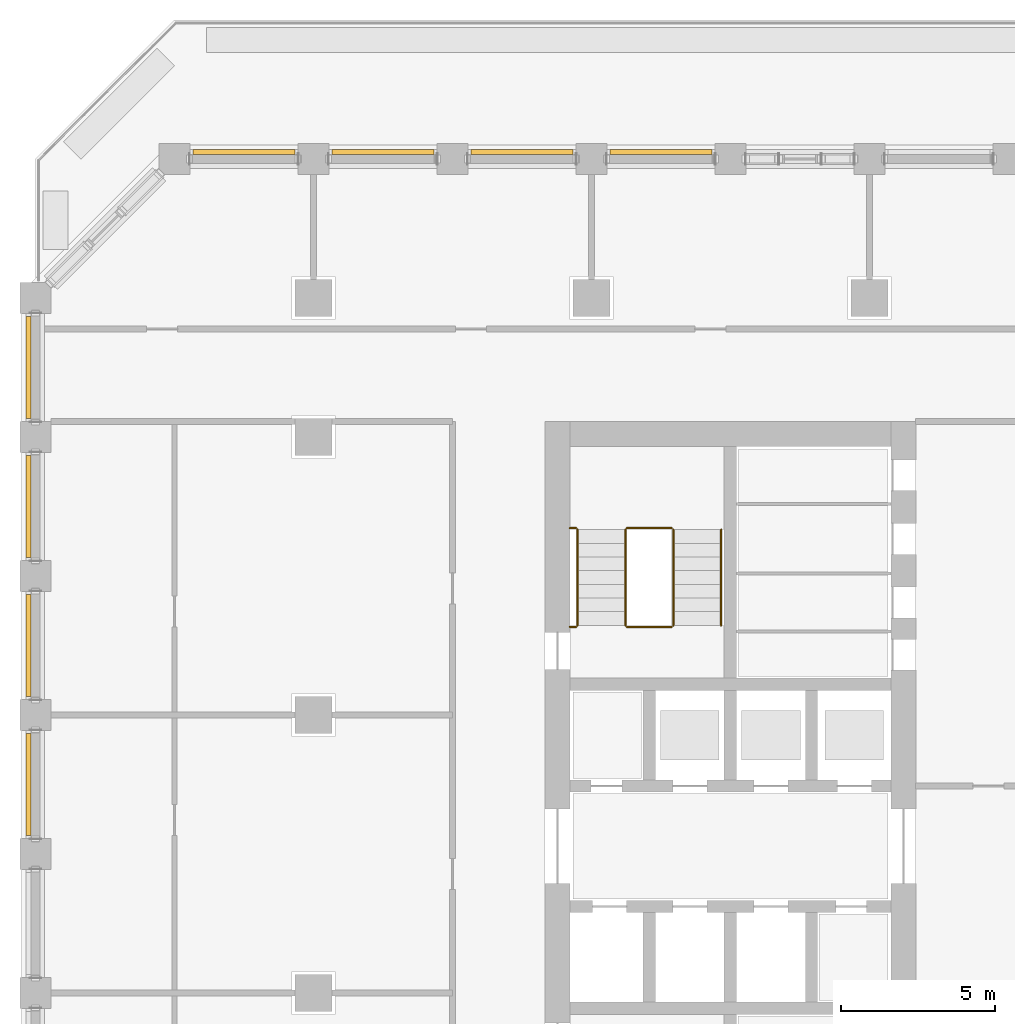
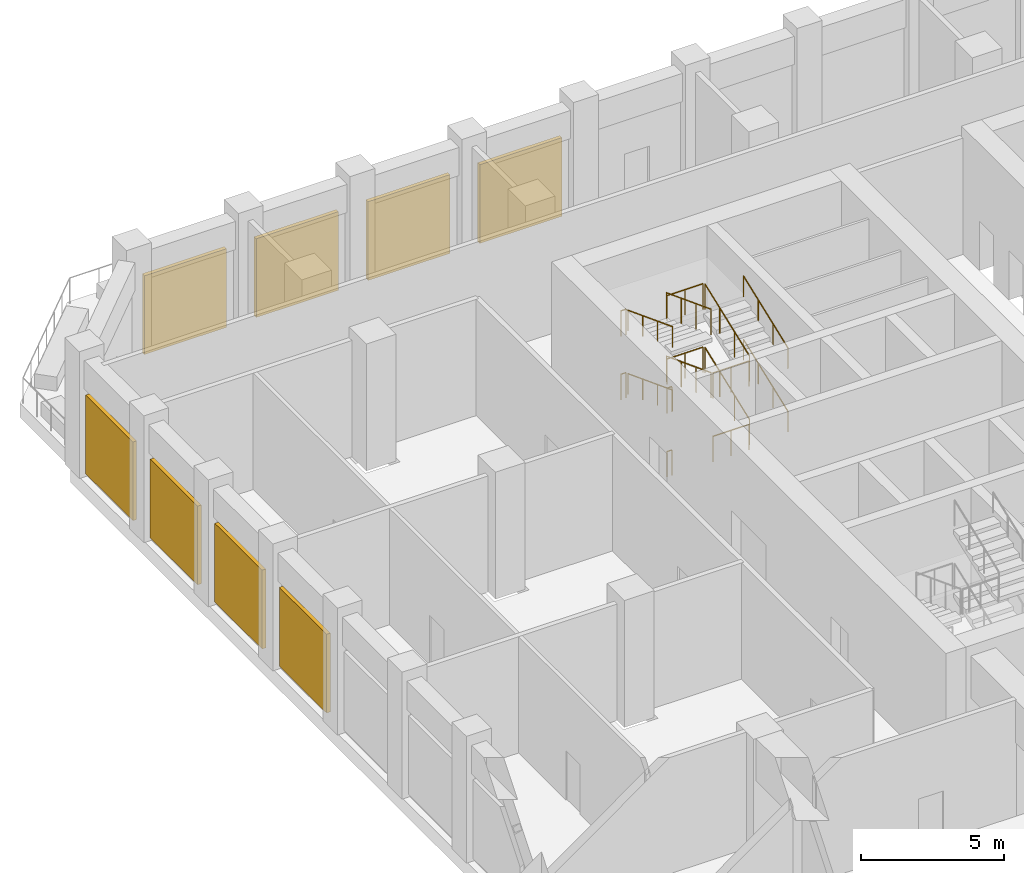
# One storey, part 16 of 20: 16 railings, 8 shading devices.
"""IFC4 building model written with IfcOpenShell, lengths in metres."""

import ifcopenshell
import ifcopenshell.guid

model = None  # the IFC model being written
_history = None  # IfcOwnerHistory: only IFC2X3 demands one
_inside = {}  # id of a spatial element -> (the spatial element, [elements in it])
_under = {}  # id of a project, library or spatial element -> (it, [spatial elements below it])
_declared = {}  # id of a project -> (the project, [libraries it declares])
_typed = {}  # id of a type object -> (the type object, [elements of that type])
_made_of = {}  # id of a material, layer set ... -> (it, [elements and type objects made of it])


def new_model(schema):
    """Start an empty IFC model of exactly this schema.

    Asked for "IFC4X3", IfcOpenShell would pick the latest addendum, in which some entities
    have other attributes; the version numbers below select the first issue.
    IFC2X3 requires an IfcOwnerHistory on every rooted entity: one is made here for all.
    """
    global model, _history
    if schema == "IFC4X3":
        model = ifcopenshell.file(schema_version=(4, 3, 0, 0))
    else:
        model = ifcopenshell.file(schema=schema)
    _inside.clear()
    _under.clear()
    _declared.clear()
    _typed.clear()
    _made_of.clear()
    _history = None
    if model.schema == "IFC2X3":
        org = make("IfcOrganization", Name="unknown")
        user = make(
            "IfcPersonAndOrganization",
            ThePerson=make("IfcPerson", FamilyName="unknown"),
            TheOrganization=org,
        )
        app = make(
            "IfcApplication",
            ApplicationDeveloper=org,
            Version="unknown",
            ApplicationFullName="unknown",
            ApplicationIdentifier="unknown",
        )
        _history = make(
            "IfcOwnerHistory",
            OwningUser=user,
            OwningApplication=app,
            ChangeAction="ADDED",
            CreationDate=0,
        )
    return model


def make(cls, **values):
    """One entity of the class cls with the attributes given. An attribute that is None is left unset."""
    return model.create_entity(
        cls, **{name: value for name, value in values.items() if value is not None}
    )


def rooted(cls, **values):
    """An entity with a GlobalId (a new one), such as an element, a storey or a relation."""
    return make(cls, GlobalId=ifcopenshell.guid.new(), OwnerHistory=_history, **values)


def si_unit(unit_type, name, prefix=None):
    """IfcSIUnit, for example si_unit("LENGTHUNIT", "METRE", prefix="MILLI")."""
    return make("IfcSIUnit", UnitType=unit_type, Prefix=prefix, Name=name)


def assignment(units):
    """IfcUnitAssignment: the units of a project."""
    return None if units is None else make("IfcUnitAssignment", Units=units)


def point(xyz):
    """IfcCartesianPoint."""
    return None if xyz is None else make("IfcCartesianPoint", Coordinates=xyz)


def direction(xyz):
    """IfcDirection."""
    return None if xyz is None else make("IfcDirection", DirectionRatios=xyz)


def frame(location, z_axis=None, x_axis=None):
    """IfcAxis2Placement3D, a coordinate frame: its origin and axes. An axis left out is left unset."""
    return make(
        "IfcAxis2Placement3D",
        Location=point(location),
        Axis=direction(z_axis),
        RefDirection=direction(x_axis),
    )


def frame_2d(location, x_axis=None):
    """IfcAxis2Placement2D, a coordinate frame in the plane: its origin and x axis."""
    return make(
        "IfcAxis2Placement2D", Location=point(location), RefDirection=direction(x_axis)
    )


def origin():
    """The frame at (0, 0, 0) with its axes left unset."""
    return frame((0.0, 0.0, 0.0))


def origin_2d():
    """The frame at (0, 0) in the plane with its x axis left unset."""
    return frame_2d((0.0, 0.0))


def place(relative_to, where):
    """IfcLocalPlacement: puts the frame where relative to a parent placement (None: the world)."""
    return make(
        "IfcLocalPlacement", PlacementRelTo=relative_to, RelativePlacement=where
    )


def context(
    kind, dimensions, precision=None, world=None, true_north=None, identifier=None
):
    """IfcGeometricRepresentationContext, for example the 3D "Model" context."""
    return make(
        "IfcGeometricRepresentationContext",
        ContextIdentifier=identifier,
        ContextType=kind,
        CoordinateSpaceDimension=dimensions,
        Precision=precision,
        WorldCoordinateSystem=world,
        TrueNorth=true_north,
    )


def subcontext(parent, identifier, kind, view, scale=None):
    """IfcGeometricRepresentationSubContext, for example "Body" below "Model"."""
    return make(
        "IfcGeometricRepresentationSubContext",
        ContextIdentifier=identifier,
        ContextType=kind,
        ParentContext=parent,
        TargetScale=scale,
        TargetView=view,
    )


def project(units=None, contexts=None):
    """IfcProject with its units and contexts."""
    return rooted(
        "IfcProject",
        Name="project",
        RepresentationContexts=contexts,
        UnitsInContext=assignment(units),
    )


def spatial(cls, under=None, at=None, **own):
    """A site, building, storey or space (cls), placed at a placement, below another one or the project."""
    s = rooted(cls, ObjectPlacement=at, **own)
    if under is not None:
        _under.setdefault(under.id(), (under, []))[1].append(s)
    return s


def profile(cls, at=None, kind="AREA", **sizes):
    """A parametric profile (cls). Its sizes go by their IFC names, for example OverallWidth=200.0."""
    return make(cls, ProfileType=kind, Position=at, **sizes)


def rectangle(**sizes):
    """IfcRectangleProfileDef."""
    return profile("IfcRectangleProfileDef", **sizes)


def circle(**sizes):
    """IfcCircleProfileDef."""
    return profile("IfcCircleProfileDef", **sizes)


def extrude(swept, where, along, depth):
    """IfcExtrudedAreaSolid: the profile swept, set in the frame where, extruded along a direction by depth."""
    return make(
        "IfcExtrudedAreaSolid",
        SweptArea=swept,
        Position=where,
        ExtrudedDirection=direction(along),
        Depth=depth,
    )


def shape(context_of_items, identifier, shape_type, items):
    """IfcShapeRepresentation: the items that make up one representation, for example the "Body"."""
    return make(
        "IfcShapeRepresentation",
        ContextOfItems=context_of_items,
        RepresentationIdentifier=identifier,
        RepresentationType=shape_type,
        Items=items,
    )


def material(Name=None, Category=None):
    """IfcMaterial."""
    return make("IfcMaterial", Name=Name, Category=Category)


def layer(
    of_material, thickness, ventilated=None, Name=None, Category=None, Priority=None
):
    """IfcMaterialLayer: one layer of a wall or slab, of a material (None: an air gap)."""
    return make(
        "IfcMaterialLayer",
        Material=of_material,
        LayerThickness=thickness,
        IsVentilated=ventilated,
        Name=Name,
        Category=Category,
        Priority=Priority,
    )


def layer_set(layers, Name=None):
    """IfcMaterialLayerSet."""
    return make("IfcMaterialLayerSet", MaterialLayers=layers, LayerSetName=Name)


def made_of(thing, what):
    """Note that an element or type object is made of a material, layer set ...; save() writes the relation."""
    if what is not None:
        _made_of.setdefault(what.id(), (what, []))[1].append(thing)
    return thing


def type_object(cls, material=None, **own):
    """A type object (cls), such as IfcWallType, which elements share."""
    return made_of(rooted(cls, **own), material)


def element(
    cls,
    number,
    at=None,
    inside=None,
    cuts=None,
    type_object=None,
    material=None,
    context=None,
    identifier="Body",
    shape_type=None,
    held_by="IfcProductDefinitionShape",
    body=None,
    shapes=None,
    **own,
):
    """One element of the class cls, such as IfcWall. Its Tag is "e" and its number.

    at: its placement. inside: the storey or other place that contains it. cuts: it is an
    opening in that element (IfcRelVoidsElement). A single representation is given by context,
    identifier, shape_type and body (its items); several are given by shapes. held_by: the class
    of the entity that holds the representations. save() writes the other relations.
    """
    e = rooted(cls, Tag="e%d" % number, ObjectPlacement=at, **own)
    if body is not None:
        shapes = [shape(context, identifier, shape_type, body)]
    if shapes is not None:
        e.Representation = make(held_by, Representations=shapes)
    if inside is not None:
        _inside.setdefault(inside.id(), (inside, []))[1].append(e)
    if cuts is not None:
        rooted(
            "IfcRelVoidsElement", RelatingBuildingElement=cuts, RelatedOpeningElement=e
        )
    if type_object is not None:
        _typed.setdefault(type_object.id(), (type_object, []))[1].append(e)
    return made_of(e, material)


def aggregate(whole, parts):
    """IfcRelAggregates: a whole, such as a stair, and the parts it consists of."""
    return rooted("IfcRelAggregates", RelatingObject=whole, RelatedObjects=parts)


def save(model, path):
    """Write the relations noted so far, then the file.

    IfcRelAggregates (storeys below a building ...), IfcRelContainedInSpatialStructure (elements
    in a storey), IfcRelDefinesByType, IfcRelAssociatesMaterial and IfcRelDeclares: one each for
    every whole, place, type object, material and project.
    """
    for whole, parts in _under.values():
        aggregate(whole, parts)
    for where, things in _inside.values():
        rooted(
            "IfcRelContainedInSpatialStructure",
            RelatedElements=things,
            RelatingStructure=where,
        )
    for kind, things in _typed.values():
        rooted("IfcRelDefinesByType", RelatedObjects=things, RelatingType=kind)
    for what, things in _made_of.values():
        rooted("IfcRelAssociatesMaterial", RelatedObjects=things, RelatingMaterial=what)
    for by, libraries in _declared.values():
        rooted("IfcRelDeclares", RelatingContext=by, RelatedDefinitions=libraries)
    model.write(path)


model = new_model("IFC4")

# Units and contexts
model_context = context("Model", 3, precision=1e-05, world=origin(), true_north=direction((0.0, 1.0)))
body_context = subcontext(model_context, "Body", "Model", "MODEL_VIEW")
ifc_project = project(units=[si_unit("LENGTHUNIT", "METRE"), si_unit("AREAUNIT", "SQUARE_METRE"), si_unit("VOLUMEUNIT", "CUBIC_METRE"), si_unit("PLANEANGLEUNIT", "RADIAN"), si_unit("MASSUNIT", "GRAM", prefix="KILO")], contexts=[model_context])

# Site, building, storey
site_placement = place(None, origin())
site = spatial("IfcSite", under=ifc_project, at=site_placement, CompositionType="ELEMENT")
building_placement = place(site_placement, origin())
building = spatial("IfcBuilding", under=site, at=building_placement, Name="Corbel Stack Research Tower", CompositionType="ELEMENT")
storey_placement = place(building_placement, frame((0.0, 0.0, 151.39990234375)))
storey = spatial("IfcBuildingStorey", under=building, at=storey_placement, Name="L34", CompositionType="ELEMENT", Elevation=151.39990234375)

# Shading devices
ifc_material_1 = material(Name="Aluminium louvre", Category="aluminium")
ifc_layer = layer(ifc_material_1, 0.14990234375)
ifc_layer_set = layer_set([ifc_layer], Name="Aluminium louvre")
shading_device_type = type_object("IfcShadingDeviceType", Name="Plant louvre 150", PredefinedType="USERDEFINED", material=ifc_layer_set)
for number, where, z_axis, x_axis, name in (
    (1, (-6.75, 27.22509765625, 0.199951171875), (0.0, 0.0, 1.0), (-1.0, 0.0, 0.0), "Plant louvre L34 N07"),
    (2, (-11.25, 27.22509765625, 0.199951171875), (0.0, 0.0, 1.0), (-1.0, 0.0, 0.0), "Plant louvre L34 N08"),
    (3, (-15.75, 27.22509765625, 0.199951171875), (0.0, 0.0, 1.0), (-1.0, 0.0, 0.0), "Plant louvre L34 N09"),
    (4, (-20.25, 27.22509765625, 0.199951171875), (0.0, 0.0, 1.0), (-1.0, 0.0, 0.0), "Plant louvre L34 N10"),
    (5, (-27.22509765625, 20.25, 0.199951171875), (0.0, 0.0, 1.0), (0.0, -1.0, 0.0), "Plant louvre L34 W01"),
    (6, (-27.22509765625, 15.75, 0.199951171875), (0.0, 0.0, 1.0), (0.0, -1.0, 0.0), "Plant louvre L34 W02"),
    (7, (-27.22509765625, 11.25, 0.199951171875), (0.0, 0.0, 1.0), (0.0, -1.0, 0.0), "Plant louvre L34 W03"),
    (8, (-27.22509765625, 6.75, 0.199951171875), (0.0, 0.0, 1.0), (0.0, -1.0, 0.0), "Plant louvre L34 W04"),
):
    element("IfcShadingDevice", number, at=place(storey_placement, frame(where, z_axis=z_axis, x_axis=x_axis)), inside=storey, type_object=shading_device_type, Name=name, ObjectType="LOUVRE", PredefinedType="USERDEFINED", context=body_context, shape_type="SweptSolid", body=[
        extrude(rectangle(XDim=3.300048828125, YDim=0.14990234375, at=origin_2d()), origin(), (0.0, 0.0, 1.0), 3.35009765625),
    ])

# Railings
ifc_material_2 = material(Name="Steel S355", Category="steel")
railing_type_1 = type_object("IfcRailingType", Name="Stair guard 1100", PredefinedType="GUARDRAIL", material=ifc_material_2)
railing_1_placement = place(storey_placement, frame((-6.35009765625, 11.89990234375, 0.1689453125)))
element("IfcRailing", 9, at=railing_1_placement, inside=storey, type_object=railing_type_1, Name="L34 ST-W2 stair guard 1", PredefinedType="GUARDRAIL", context=body_context, shape_type="SweptSolid", body=[
    extrude(circle(Radius=0.02392578125, at=origin_2d()), frame((0.0, 0.0, 1.076171875), z_axis=(0.0, 0.934508712189, 0.355940257406), x_axis=(-1.0, 0.0, 0.0)), (0.0, 0.0, 1.0), 3.318359375),
    extrude(circle(Radius=0.02099609375, at=origin_2d()), origin(), (0.0, 0.0, 1.0), 1.052001953125),
    extrude(circle(Radius=0.02099609375, at=origin_2d()), frame((0.0, 1.03369140625, 0.393798828125)), (0.0, 0.0, 1.0), 1.052001953125),
    extrude(circle(Radius=0.02099609375, at=origin_2d()), frame((0.0, 2.0673828125, 0.787353515625)), (0.0, 0.0, 1.0), 1.052001953125),
    extrude(circle(Radius=0.02099609375, at=origin_2d()), frame((0.0, 3.10107421875, 1.18115234375)), (0.0, 0.0, 1.0), 1.052001953125),
])
railing_2_placement = place(storey_placement, frame((-6.39990234375, 15.051025390625, 1.35009765625)))
element("IfcRailing", 10, at=railing_2_placement, inside=storey, type_object=railing_type_1, Name="L34 ST-W2 stair guard 2", PredefinedType="GUARDRAIL", context=body_context, shape_type="SweptSolid", body=[
    extrude(circle(Radius=0.02392578125, at=origin_2d()), frame((0.0, 0.0, 1.076171875), z_axis=(-1.0, 0.0, 0.0), x_axis=(0.0, -1.0, 0.0)), (0.0, 0.0, 1.0), 1.4501953125),
    extrude(circle(Radius=0.02099609375, at=origin_2d()), origin(), (0.0, 0.0, 1.0), 1.052001953125),
    extrude(circle(Radius=0.02099609375, at=origin_2d()), frame((-0.72509765625, 0.0, 0.0)), (0.0, 0.0, 1.0), 1.052001953125),
    extrude(circle(Radius=0.02099609375, at=origin_2d()), frame((-1.4501953125, 0.0, 0.0)), (0.0, 0.0, 1.0), 1.052001953125),
])
railing_3_placement = place(storey_placement, frame((-9.5, 15.051025390625, 1.35009765625)))
element("IfcRailing", 11, at=railing_3_placement, inside=storey, type_object=railing_type_1, Name="L34 ST-W2 stair guard 3", PredefinedType="GUARDRAIL", context=body_context, shape_type="SweptSolid", body=[
    extrude(circle(Radius=0.02392578125, at=origin_2d()), frame((0.0, 0.0, 1.076171875), z_axis=(-1.0, 0.0, 0.0), x_axis=(0.0, -1.0, 0.0)), (0.0, 0.0, 1.0), 0.199951171875),
    extrude(circle(Radius=0.02099609375, at=origin_2d()), origin(), (0.0, 0.0, 1.0), 1.052001953125),
    extrude(circle(Radius=0.02099609375, at=origin_2d()), frame((-0.199951171875, 0.0, 0.0)), (0.0, 0.0, 1.0), 1.052001953125),
])
railing_4_placement = place(storey_placement, frame((-7.89990234375, 15.0009765625, 1.518798828125)))
element("IfcRailing", 12, at=railing_4_placement, inside=storey, type_object=railing_type_1, Name="L34 ST-W2 stair guard 4", PredefinedType="GUARDRAIL", context=body_context, shape_type="SweptSolid", body=[
    extrude(circle(Radius=0.02392578125, at=origin_2d()), frame((0.0, 0.0, 1.076171875), z_axis=(0.0, -0.934484238495, 0.356004505596), x_axis=(1.0, 0.0, 0.0)), (0.0, 0.0, 1.0), 3.318603515625),
    extrude(circle(Radius=0.02099609375, at=origin_2d()), origin(), (0.0, 0.0, 1.0), 1.052001953125),
    extrude(circle(Radius=0.02099609375, at=origin_2d()), frame((0.0, -1.03369140625, 0.393798828125)), (0.0, 0.0, 1.0), 1.052001953125),
    extrude(circle(Radius=0.02099609375, at=origin_2d()), frame((0.0, -2.0673828125, 0.78759765625)), (0.0, 0.0, 1.0), 1.052001953125),
    extrude(circle(Radius=0.02099609375, at=origin_2d()), frame((0.0, -3.10107421875, 1.181396484375)), (0.0, 0.0, 1.0), 1.052001953125),
])
railing_5_placement = place(storey_placement, frame((-6.39990234375, 11.85009765625, 2.7001953125)))
element("IfcRailing", 13, at=railing_5_placement, inside=storey, type_object=railing_type_1, Name="L34 ST-W2 stair guard 5", PredefinedType="GUARDRAIL", context=body_context, shape_type="SweptSolid", body=[
    extrude(circle(Radius=0.02392578125, at=origin_2d()), frame((0.0, 0.0, 1.076171875), z_axis=(-1.0, 0.0, 0.0), x_axis=(0.0, -1.0, 0.0)), (0.0, 0.0, 1.0), 1.4501953125),
    extrude(circle(Radius=0.02099609375, at=origin_2d()), origin(), (0.0, 0.0, 1.0), 1.052001953125),
    extrude(circle(Radius=0.02099609375, at=origin_2d()), frame((-0.72509765625, 0.0, 0.0)), (0.0, 0.0, 1.0), 1.052001953125),
    extrude(circle(Radius=0.02099609375, at=origin_2d()), frame((-1.4501953125, 0.0, 0.0)), (0.0, 0.0, 1.0), 1.052001953125),
])
railing_6_placement = place(storey_placement, frame((-9.5, 11.85009765625, 2.7001953125)))
element("IfcRailing", 14, at=railing_6_placement, inside=storey, type_object=railing_type_1, Name="L34 ST-W2 stair guard 6", PredefinedType="GUARDRAIL", context=body_context, shape_type="SweptSolid", body=[
    extrude(circle(Radius=0.02392578125, at=origin_2d()), frame((0.0, 0.0, 1.076171875), z_axis=(-1.0, 0.0, 0.0), x_axis=(0.0, -1.0, 0.0)), (0.0, 0.0, 1.0), 0.199951171875),
    extrude(circle(Radius=0.02099609375, at=origin_2d()), origin(), (0.0, 0.0, 1.0), 1.052001953125),
    extrude(circle(Radius=0.02099609375, at=origin_2d()), frame((-0.199951171875, 0.0, 0.0)), (0.0, 0.0, 1.0), 1.052001953125),
])
railing_7_placement = place(storey_placement, frame((-6.35009765625, 11.89990234375, 2.868896484375)))
element("IfcRailing", 15, at=railing_7_placement, inside=storey, type_object=railing_type_1, Name="L34 ST-W2 stair guard 7", PredefinedType="GUARDRAIL", context=body_context, shape_type="SweptSolid", body=[
    extrude(circle(Radius=0.02392578125, at=origin_2d()), frame((0.0, 0.0, 1.076171875), z_axis=(0.0, 0.934508712189, 0.355940257406), x_axis=(-1.0, 0.0, 0.0)), (0.0, 0.0, 1.0), 3.318359375),
    extrude(circle(Radius=0.02099609375, at=origin_2d()), origin(), (0.0, 0.0, 1.0), 1.052001953125),
    extrude(circle(Radius=0.02099609375, at=origin_2d()), frame((0.0, 1.03369140625, 0.393798828125)), (0.0, 0.0, 1.0), 1.052001953125),
    extrude(circle(Radius=0.02099609375, at=origin_2d()), frame((0.0, 2.0673828125, 0.787353515625)), (0.0, 0.0, 1.0), 1.052001953125),
    extrude(circle(Radius=0.02099609375, at=origin_2d()), frame((0.0, 3.10107421875, 1.18115234375)), (0.0, 0.0, 1.0), 1.052001953125),
])
railing_8_placement = place(storey_placement, frame((-6.39990234375, 15.051025390625, 4.050048828125)))
element("IfcRailing", 16, at=railing_8_placement, inside=storey, type_object=railing_type_1, Name="L34 ST-W2 stair guard 8", PredefinedType="GUARDRAIL", context=body_context, shape_type="SweptSolid", body=[
    extrude(circle(Radius=0.02392578125, at=origin_2d()), frame((0.0, 0.0, 1.076171875), z_axis=(-1.0, 0.0, 0.0), x_axis=(0.0, -1.0, 0.0)), (0.0, 0.0, 1.0), 1.4501953125),
    extrude(circle(Radius=0.02099609375, at=origin_2d()), origin(), (0.0, 0.0, 1.0), 1.052001953125),
    extrude(circle(Radius=0.02099609375, at=origin_2d()), frame((-0.72509765625, 0.0, 0.0)), (0.0, 0.0, 1.0), 1.052001953125),
    extrude(circle(Radius=0.02099609375, at=origin_2d()), frame((-1.4501953125, 0.0, 0.0)), (0.0, 0.0, 1.0), 1.052001953125),
])
railing_9_placement = place(storey_placement, frame((-9.5, 15.051025390625, 4.050048828125)))
element("IfcRailing", 17, at=railing_9_placement, inside=storey, type_object=railing_type_1, Name="L34 ST-W2 stair guard 9", PredefinedType="GUARDRAIL", context=body_context, shape_type="SweptSolid", body=[
    extrude(circle(Radius=0.02392578125, at=origin_2d()), frame((0.0, 0.0, 1.076171875), z_axis=(-1.0, 0.0, 0.0), x_axis=(0.0, -1.0, 0.0)), (0.0, 0.0, 1.0), 0.199951171875),
    extrude(circle(Radius=0.02099609375, at=origin_2d()), origin(), (0.0, 0.0, 1.0), 1.052001953125),
    extrude(circle(Radius=0.02099609375, at=origin_2d()), frame((-0.199951171875, 0.0, 0.0)), (0.0, 0.0, 1.0), 1.052001953125),
])
railing_10_placement = place(storey_placement, frame((-7.89990234375, 15.0009765625, 4.21875)))
element("IfcRailing", 18, at=railing_10_placement, inside=storey, type_object=railing_type_1, Name="L34 ST-W2 stair guard 10", PredefinedType="GUARDRAIL", context=body_context, shape_type="SweptSolid", body=[
    extrude(circle(Radius=0.02392578125, at=origin_2d()), frame((0.0, 0.0, 1.076171875), z_axis=(0.0, -0.934484238495, 0.356004505596), x_axis=(1.0, 0.0, 0.0)), (0.0, 0.0, 1.0), 3.318603515625),
    extrude(circle(Radius=0.02099609375, at=origin_2d()), origin(), (0.0, 0.0, 1.0), 1.052001953125),
    extrude(circle(Radius=0.02099609375, at=origin_2d()), frame((0.0, -1.03369140625, 0.393798828125)), (0.0, 0.0, 1.0), 1.052001953125),
    extrude(circle(Radius=0.02099609375, at=origin_2d()), frame((0.0, -2.0673828125, 0.78759765625)), (0.0, 0.0, 1.0), 1.052001953125),
    extrude(circle(Radius=0.02099609375, at=origin_2d()), frame((0.0, -3.10107421875, 1.181396484375)), (0.0, 0.0, 1.0), 1.052001953125),
])
railing_11_placement = place(storey_placement, frame((-6.39990234375, 11.85009765625, 0.0)))
element("IfcRailing", 19, at=railing_11_placement, inside=storey, type_object=railing_type_1, Name="L34 ST-W2 stair guard 11", PredefinedType="GUARDRAIL", context=body_context, shape_type="SweptSolid", body=[
    extrude(circle(Radius=0.02392578125, at=origin_2d()), frame((0.0, 0.0, 1.076171875), z_axis=(-1.0, 0.0, 0.0), x_axis=(0.0, -1.0, 0.0)), (0.0, 0.0, 1.0), 1.4501953125),
    extrude(circle(Radius=0.02099609375, at=origin_2d()), origin(), (0.0, 0.0, 1.0), 1.052001953125),
    extrude(circle(Radius=0.02099609375, at=origin_2d()), frame((-0.72509765625, 0.0, 0.0)), (0.0, 0.0, 1.0), 1.052001953125),
    extrude(circle(Radius=0.02099609375, at=origin_2d()), frame((-1.4501953125, 0.0, 0.0)), (0.0, 0.0, 1.0), 1.052001953125),
])
railing_12_placement = place(storey_placement, frame((-9.5, 11.85009765625, 0.0)))
element("IfcRailing", 20, at=railing_12_placement, inside=storey, type_object=railing_type_1, Name="L34 ST-W2 stair guard 12", PredefinedType="GUARDRAIL", context=body_context, shape_type="SweptSolid", body=[
    extrude(circle(Radius=0.02392578125, at=origin_2d()), frame((0.0, 0.0, 1.076171875), z_axis=(-1.0, 0.0, 0.0), x_axis=(0.0, -1.0, 0.0)), (0.0, 0.0, 1.0), 0.199951171875),
    extrude(circle(Radius=0.02099609375, at=origin_2d()), origin(), (0.0, 0.0, 1.0), 1.052001953125),
    extrude(circle(Radius=0.02099609375, at=origin_2d()), frame((-0.199951171875, 0.0, 0.0)), (0.0, 0.0, 1.0), 1.052001953125),
])
ifc_material_3 = material(Name="Steel S355", Category="steel")
railing_type_2 = type_object("IfcRailingType", Name="Stair handrail 900", PredefinedType="HANDRAIL", material=ifc_material_3)
railing_13_placement = place(storey_placement, frame((-4.800048828125, 11.89990234375, 0.1689453125)))
element("IfcRailing", 21, at=railing_13_placement, inside=storey, type_object=railing_type_2, Name="L34 ST-W2 stair handrail 1", PredefinedType="HANDRAIL", context=body_context, shape_type="SweptSolid", body=[
    extrude(circle(Radius=0.02392578125, at=origin_2d()), frame((0.0, 0.0, 0.8759765625), z_axis=(0.0, 0.934508712189, 0.355940257406), x_axis=(-1.0, 0.0, 0.0)), (0.0, 0.0, 1.0), 3.318359375),
    extrude(circle(Radius=0.02099609375, at=origin_2d()), origin(), (0.0, 0.0, 1.0), 0.851806640625),
    extrude(circle(Radius=0.02099609375, at=origin_2d()), frame((0.0, 1.03369140625, 0.393798828125)), (0.0, 0.0, 1.0), 0.851806640625),
    extrude(circle(Radius=0.02099609375, at=origin_2d()), frame((0.0, 2.0673828125, 0.787353515625)), (0.0, 0.0, 1.0), 0.851806640625),
    extrude(circle(Radius=0.02099609375, at=origin_2d()), frame((0.0, 3.10107421875, 1.18115234375)), (0.0, 0.0, 1.0), 0.851806640625),
])
railing_14_placement = place(storey_placement, frame((-9.449951171875, 15.0009765625, 1.518798828125)))
element("IfcRailing", 22, at=railing_14_placement, inside=storey, type_object=railing_type_2, Name="L34 ST-W2 stair handrail 2", PredefinedType="HANDRAIL", context=body_context, shape_type="SweptSolid", body=[
    extrude(circle(Radius=0.02392578125, at=origin_2d()), frame((0.0, 0.0, 0.8759765625), z_axis=(0.0, -0.934484238495, 0.356004505596), x_axis=(1.0, 0.0, 0.0)), (0.0, 0.0, 1.0), 3.318603515625),
    extrude(circle(Radius=0.02099609375, at=origin_2d()), origin(), (0.0, 0.0, 1.0), 0.851806640625),
    extrude(circle(Radius=0.02099609375, at=origin_2d()), frame((0.0, -1.03369140625, 0.393798828125)), (0.0, 0.0, 1.0), 0.851806640625),
    extrude(circle(Radius=0.02099609375, at=origin_2d()), frame((0.0, -2.0673828125, 0.78759765625)), (0.0, 0.0, 1.0), 0.851806640625),
    extrude(circle(Radius=0.02099609375, at=origin_2d()), frame((0.0, -3.10107421875, 1.181396484375)), (0.0, 0.0, 1.0), 0.851806640625),
])
railing_15_placement = place(storey_placement, frame((-4.800048828125, 11.89990234375, 2.868896484375)))
element("IfcRailing", 23, at=railing_15_placement, inside=storey, type_object=railing_type_2, Name="L34 ST-W2 stair handrail 3", PredefinedType="HANDRAIL", context=body_context, shape_type="SweptSolid", body=[
    extrude(circle(Radius=0.02392578125, at=origin_2d()), frame((0.0, 0.0, 0.8759765625), z_axis=(0.0, 0.934508712189, 0.355940257406), x_axis=(-1.0, 0.0, 0.0)), (0.0, 0.0, 1.0), 3.318359375),
    extrude(circle(Radius=0.02099609375, at=origin_2d()), origin(), (0.0, 0.0, 1.0), 0.851806640625),
    extrude(circle(Radius=0.02099609375, at=origin_2d()), frame((0.0, 1.03369140625, 0.393798828125)), (0.0, 0.0, 1.0), 0.851806640625),
    extrude(circle(Radius=0.02099609375, at=origin_2d()), frame((0.0, 2.0673828125, 0.787353515625)), (0.0, 0.0, 1.0), 0.851806640625),
    extrude(circle(Radius=0.02099609375, at=origin_2d()), frame((0.0, 3.10107421875, 1.18115234375)), (0.0, 0.0, 1.0), 0.851806640625),
])
railing_16_placement = place(storey_placement, frame((-9.449951171875, 15.0009765625, 4.21875)))
element("IfcRailing", 24, at=railing_16_placement, inside=storey, type_object=railing_type_2, Name="L34 ST-W2 stair handrail 4", PredefinedType="HANDRAIL", context=body_context, shape_type="SweptSolid", body=[
    extrude(circle(Radius=0.02392578125, at=origin_2d()), frame((0.0, 0.0, 0.8759765625), z_axis=(0.0, -0.934484238495, 0.356004505596), x_axis=(1.0, 0.0, 0.0)), (0.0, 0.0, 1.0), 3.318603515625),
    extrude(circle(Radius=0.02099609375, at=origin_2d()), origin(), (0.0, 0.0, 1.0), 0.851806640625),
    extrude(circle(Radius=0.02099609375, at=origin_2d()), frame((0.0, -1.03369140625, 0.393798828125)), (0.0, 0.0, 1.0), 0.851806640625),
    extrude(circle(Radius=0.02099609375, at=origin_2d()), frame((0.0, -2.0673828125, 0.78759765625)), (0.0, 0.0, 1.0), 0.851806640625),
    extrude(circle(Radius=0.02099609375, at=origin_2d()), frame((0.0, -3.10107421875, 1.181396484375)), (0.0, 0.0, 1.0), 0.851806640625),
])

save(model, "model.ifc")
